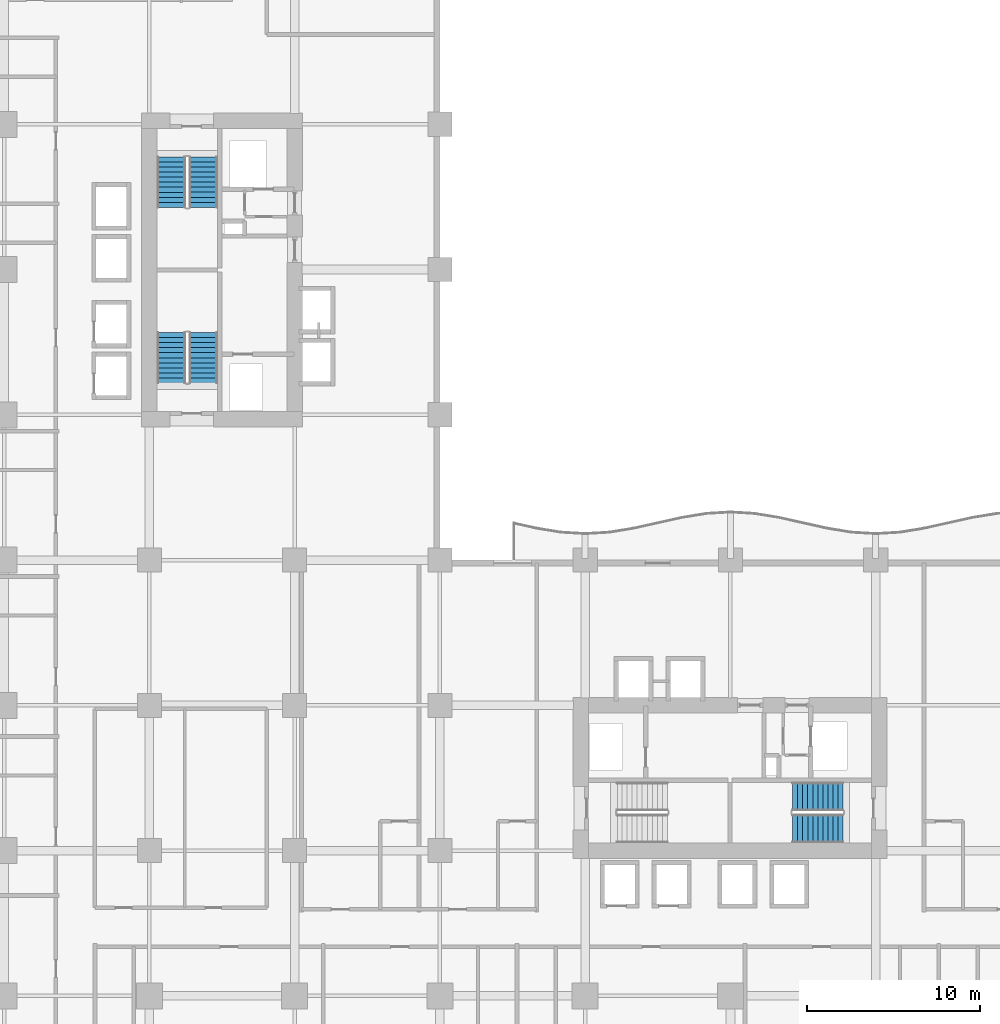
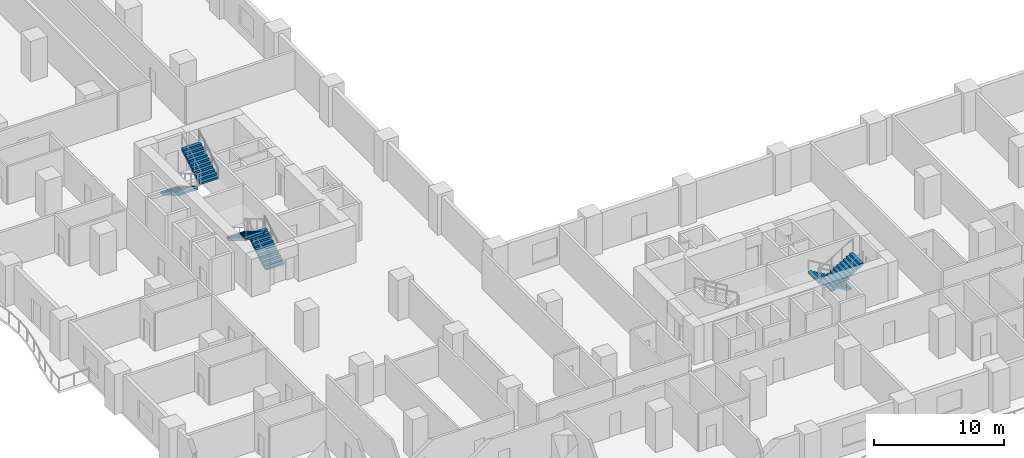
# One storey, part 17 of 24: 6 stair flights, 3 elements without a shape of their own.
"""IFC4 building model written with IfcOpenShell, lengths in metres."""

import ifcopenshell
import ifcopenshell.guid

model = None  # the IFC model being written
_history = None  # IfcOwnerHistory: only IFC2X3 demands one
_inside = {}  # id of a spatial element -> (the spatial element, [elements in it])
_under = {}  # id of a project, library or spatial element -> (it, [spatial elements below it])
_declared = {}  # id of a project -> (the project, [libraries it declares])
_typed = {}  # id of a type object -> (the type object, [elements of that type])
_made_of = {}  # id of a material, layer set ... -> (it, [elements and type objects made of it])


def new_model(schema):
    """Start an empty IFC model of exactly this schema.

    Asked for "IFC4X3", IfcOpenShell would pick the latest addendum, in which some entities
    have other attributes; the version numbers below select the first issue.
    IFC2X3 requires an IfcOwnerHistory on every rooted entity: one is made here for all.
    """
    global model, _history
    if schema == "IFC4X3":
        model = ifcopenshell.file(schema_version=(4, 3, 0, 0))
    else:
        model = ifcopenshell.file(schema=schema)
    _inside.clear()
    _under.clear()
    _declared.clear()
    _typed.clear()
    _made_of.clear()
    _history = None
    if model.schema == "IFC2X3":
        org = make("IfcOrganization", Name="unknown")
        user = make(
            "IfcPersonAndOrganization",
            ThePerson=make("IfcPerson", FamilyName="unknown"),
            TheOrganization=org,
        )
        app = make(
            "IfcApplication",
            ApplicationDeveloper=org,
            Version="unknown",
            ApplicationFullName="unknown",
            ApplicationIdentifier="unknown",
        )
        _history = make(
            "IfcOwnerHistory",
            OwningUser=user,
            OwningApplication=app,
            ChangeAction="ADDED",
            CreationDate=0,
        )
    return model


def make(cls, **values):
    """One entity of the class cls with the attributes given. An attribute that is None is left unset."""
    return model.create_entity(
        cls, **{name: value for name, value in values.items() if value is not None}
    )


def rooted(cls, **values):
    """An entity with a GlobalId (a new one), such as an element, a storey or a relation."""
    return make(cls, GlobalId=ifcopenshell.guid.new(), OwnerHistory=_history, **values)


def si_unit(unit_type, name, prefix=None):
    """IfcSIUnit, for example si_unit("LENGTHUNIT", "METRE", prefix="MILLI")."""
    return make("IfcSIUnit", UnitType=unit_type, Prefix=prefix, Name=name)


def assignment(units):
    """IfcUnitAssignment: the units of a project."""
    return None if units is None else make("IfcUnitAssignment", Units=units)


def point(xyz):
    """IfcCartesianPoint."""
    return None if xyz is None else make("IfcCartesianPoint", Coordinates=xyz)


def direction(xyz):
    """IfcDirection."""
    return None if xyz is None else make("IfcDirection", DirectionRatios=xyz)


def frame(location, z_axis=None, x_axis=None):
    """IfcAxis2Placement3D, a coordinate frame: its origin and axes. An axis left out is left unset."""
    return make(
        "IfcAxis2Placement3D",
        Location=point(location),
        Axis=direction(z_axis),
        RefDirection=direction(x_axis),
    )


def origin():
    """The frame at (0, 0, 0) with its axes left unset."""
    return frame((0.0, 0.0, 0.0))


def place(relative_to, where):
    """IfcLocalPlacement: puts the frame where relative to a parent placement (None: the world)."""
    return make(
        "IfcLocalPlacement", PlacementRelTo=relative_to, RelativePlacement=where
    )


def context(
    kind, dimensions, precision=None, world=None, true_north=None, identifier=None
):
    """IfcGeometricRepresentationContext, for example the 3D "Model" context."""
    return make(
        "IfcGeometricRepresentationContext",
        ContextIdentifier=identifier,
        ContextType=kind,
        CoordinateSpaceDimension=dimensions,
        Precision=precision,
        WorldCoordinateSystem=world,
        TrueNorth=true_north,
    )


def subcontext(parent, identifier, kind, view, scale=None):
    """IfcGeometricRepresentationSubContext, for example "Body" below "Model"."""
    return make(
        "IfcGeometricRepresentationSubContext",
        ContextIdentifier=identifier,
        ContextType=kind,
        ParentContext=parent,
        TargetScale=scale,
        TargetView=view,
    )


def project(units=None, contexts=None):
    """IfcProject with its units and contexts."""
    return rooted(
        "IfcProject",
        Name="project",
        RepresentationContexts=contexts,
        UnitsInContext=assignment(units),
    )


def spatial(cls, under=None, at=None, **own):
    """A site, building, storey or space (cls), placed at a placement, below another one or the project."""
    s = rooted(cls, ObjectPlacement=at, **own)
    if under is not None:
        _under.setdefault(under.id(), (under, []))[1].append(s)
    return s


def polyline(points):
    """IfcPolyline through the points."""
    return make("IfcPolyline", Points=[point(p) for p in points])


def outline(outer, holes=None, kind="AREA"):
    """IfcArbitraryClosedProfileDef: a profile drawn as a closed curve; with holes, ...WithVoids."""
    if holes is None:
        return make("IfcArbitraryClosedProfileDef", ProfileType=kind, OuterCurve=outer)
    return make(
        "IfcArbitraryProfileDefWithVoids",
        ProfileType=kind,
        OuterCurve=outer,
        InnerCurves=holes,
    )


def extrude(swept, where, along, depth):
    """IfcExtrudedAreaSolid: the profile swept, set in the frame where, extruded along a direction by depth."""
    return make(
        "IfcExtrudedAreaSolid",
        SweptArea=swept,
        Position=where,
        ExtrudedDirection=direction(along),
        Depth=depth,
    )


def shape(context_of_items, identifier, shape_type, items):
    """IfcShapeRepresentation: the items that make up one representation, for example the "Body"."""
    return make(
        "IfcShapeRepresentation",
        ContextOfItems=context_of_items,
        RepresentationIdentifier=identifier,
        RepresentationType=shape_type,
        Items=items,
    )


def material(Name=None, Category=None):
    """IfcMaterial."""
    return make("IfcMaterial", Name=Name, Category=Category)


def made_of(thing, what):
    """Note that an element or type object is made of a material, layer set ...; save() writes the relation."""
    if what is not None:
        _made_of.setdefault(what.id(), (what, []))[1].append(thing)
    return thing


def type_object(cls, material=None, **own):
    """A type object (cls), such as IfcWallType, which elements share."""
    return made_of(rooted(cls, **own), material)


def element(
    cls,
    number,
    at=None,
    inside=None,
    cuts=None,
    type_object=None,
    material=None,
    context=None,
    identifier="Body",
    shape_type=None,
    held_by="IfcProductDefinitionShape",
    body=None,
    shapes=None,
    **own,
):
    """One element of the class cls, such as IfcWall. Its Tag is "e" and its number.

    at: its placement. inside: the storey or other place that contains it. cuts: it is an
    opening in that element (IfcRelVoidsElement). A single representation is given by context,
    identifier, shape_type and body (its items); several are given by shapes. held_by: the class
    of the entity that holds the representations. save() writes the other relations.
    """
    e = rooted(cls, Tag="e%d" % number, ObjectPlacement=at, **own)
    if body is not None:
        shapes = [shape(context, identifier, shape_type, body)]
    if shapes is not None:
        e.Representation = make(held_by, Representations=shapes)
    if inside is not None:
        _inside.setdefault(inside.id(), (inside, []))[1].append(e)
    if cuts is not None:
        rooted(
            "IfcRelVoidsElement", RelatingBuildingElement=cuts, RelatedOpeningElement=e
        )
    if type_object is not None:
        _typed.setdefault(type_object.id(), (type_object, []))[1].append(e)
    return made_of(e, material)


def aggregate(whole, parts):
    """IfcRelAggregates: a whole, such as a stair, and the parts it consists of."""
    return rooted("IfcRelAggregates", RelatingObject=whole, RelatedObjects=parts)


def save(model, path):
    """Write the relations noted so far, then the file.

    IfcRelAggregates (storeys below a building ...), IfcRelContainedInSpatialStructure (elements
    in a storey), IfcRelDefinesByType, IfcRelAssociatesMaterial and IfcRelDeclares: one each for
    every whole, place, type object, material and project.
    """
    for whole, parts in _under.values():
        aggregate(whole, parts)
    for where, things in _inside.values():
        rooted(
            "IfcRelContainedInSpatialStructure",
            RelatedElements=things,
            RelatingStructure=where,
        )
    for kind, things in _typed.values():
        rooted("IfcRelDefinesByType", RelatedObjects=things, RelatingType=kind)
    for what, things in _made_of.values():
        rooted("IfcRelAssociatesMaterial", RelatedObjects=things, RelatingMaterial=what)
    for by, libraries in _declared.values():
        rooted("IfcRelDeclares", RelatingContext=by, RelatedDefinitions=libraries)
    model.write(path)


model = new_model("IFC4")

# Units and contexts
model_context = context("Model", 3, precision=1e-05, world=origin(), true_north=direction((0.0, 1.0)))
body_context = subcontext(model_context, "Body", "Model", "MODEL_VIEW")
ifc_project = project(units=[si_unit("LENGTHUNIT", "METRE"), si_unit("AREAUNIT", "SQUARE_METRE"), si_unit("VOLUMEUNIT", "CUBIC_METRE"), si_unit("PLANEANGLEUNIT", "RADIAN"), si_unit("MASSUNIT", "GRAM", prefix="KILO")], contexts=[model_context])

# Site, building, storey
site_placement = place(None, origin())
site = spatial("IfcSite", under=ifc_project, at=site_placement, CompositionType="ELEMENT")
building_placement = place(site_placement, origin())
building = spatial("IfcBuilding", under=site, at=building_placement, Name="Koriwani Terraces Tower", CompositionType="ELEMENT")
storey_placement = place(building_placement, frame((0.0, 0.0, 47.199951171875)))
storey = spatial("IfcBuildingStorey", under=building, at=storey_placement, Name="L10", CompositionType="ELEMENT", Elevation=47.199951171875)

# Stair, stair flights
ifc_material = material(Name="Concrete C40/50", Category="concrete")
stair_type = type_object("IfcStairType", Name="STAIR_CORE_DOGLEG_1650", PredefinedType="TWO_STRAIGHT_RUN_STAIR", material=ifc_material)
stair_1_placement = place(storey_placement, origin())
stair_1 = element("IfcStair", 1, at=stair_1_placement, inside=storey, type_object=stair_type, Name="L10 West Core Exit Stair 1", PredefinedType="HALF_TURN_STAIR")
stair_flight_type = type_object("IfcStairFlightType", Name="STAIR_FLIGHT_RC_1650", PredefinedType="STRAIGHT", material=ifc_material)
stair_flight_1_placement = place(storey_placement, frame((19.925048828125, 43.85009765625, 0.0), z_axis=(0.0, 0.0, 1.0), x_axis=(0.0, 1.0, 0.0)))
stair_flight_1 = element("IfcStairFlight", 2, at=stair_flight_1_placement, type_object=stair_flight_type, Name="ST-W1 flight 1", NumberOfRisers=11, NumberOfTreads=10, PredefinedType="STRAIGHT", RiserHeight=0.172727273, TreadLength=0.29, context=body_context, shape_type="SweptSolid", body=[
    extrude(outline(polyline([(0.0, 0.0), (0.0, 0.172607421875), (0.2900390625, 0.172607421875), (0.2900390625, 0.345458984375), (0.580078125, 0.345458984375), (0.580078125, 0.51806640625), (0.8701171875, 0.51806640625), (0.8701171875, 0.69091796875), (1.159912109375, 0.69091796875), (1.159912109375, 0.863525390625), (1.449951171875, 0.863525390625), (1.449951171875, 1.036376953125), (1.739990234375, 1.036376953125), (1.739990234375, 1.208984375), (2.030029296875, 1.208984375), (2.030029296875, 1.3818359375), (2.320068359375, 1.3818359375), (2.320068359375, 1.554443359375), (2.610107421875, 1.554443359375), (2.610107421875, 1.727294921875), (2.89990234375, 1.727294921875), (2.89990234375, 1.89990234375), (2.89990234375, 1.517822265625), (0.3515625, 0.0), (0.0, 0.0)])), frame((0.0, 0.824951171875, 0.0), z_axis=(0.0, -1.0, 0.0), x_axis=(1.0, 0.0, 0.0)), (0.0, 0.0, 1.0), 1.64990234375),
])
stair_flight_2_placement = place(storey_placement, frame((18.074951171875, 46.75, 1.900146484375), z_axis=(0.0, 0.0, 1.0), x_axis=(0.0, -1.0, 0.0)))
stair_flight_2 = element("IfcStairFlight", 3, at=stair_flight_2_placement, type_object=stair_flight_type, Name="ST-W1 flight 2", NumberOfRisers=11, NumberOfTreads=10, PredefinedType="STRAIGHT", RiserHeight=0.172727273, TreadLength=0.29, context=body_context, shape_type="SweptSolid", body=[
    extrude(outline(polyline([(0.0, 0.0), (0.0, 0.172607421875), (0.2900390625, 0.172607421875), (0.2900390625, 0.345458984375), (0.580078125, 0.345458984375), (0.580078125, 0.51806640625), (0.8701171875, 0.51806640625), (0.8701171875, 0.69091796875), (1.159912109375, 0.69091796875), (1.159912109375, 0.863525390625), (1.449951171875, 0.863525390625), (1.449951171875, 1.036376953125), (1.739990234375, 1.036376953125), (1.739990234375, 1.208984375), (2.030029296875, 1.208984375), (2.030029296875, 1.3818359375), (2.320068359375, 1.3818359375), (2.320068359375, 1.554443359375), (2.610107421875, 1.554443359375), (2.610107421875, 1.727294921875), (2.89990234375, 1.727294921875), (2.89990234375, 1.89990234375), (2.89990234375, 1.517822265625), (0.3515625, 0.0), (0.0, 0.0)])), frame((0.0, 0.824951171875, 0.0), z_axis=(0.0, -1.0, 0.0), x_axis=(1.0, 0.0, 0.0)), (0.0, 0.0, 1.0), 1.64990234375),
])
aggregate(stair_1, [stair_flight_1, stair_flight_2])

stair_2_placement = place(storey_placement, origin())
stair_2 = element("IfcStair", 4, at=stair_2_placement, inside=storey, type_object=stair_type, Name="L10 West Core Exit Stair 2", PredefinedType="HALF_TURN_STAIR")
stair_flight_3_placement = place(storey_placement, frame((18.074951171875, 56.89990234375, 0.0), z_axis=(0.0, 0.0, 1.0), x_axis=(0.0, -1.0, 0.0)))
stair_flight_3 = element("IfcStairFlight", 5, at=stair_flight_3_placement, type_object=stair_flight_type, Name="ST-W2 flight 1", NumberOfRisers=11, NumberOfTreads=10, PredefinedType="STRAIGHT", RiserHeight=0.172727273, TreadLength=0.29, context=body_context, shape_type="SweptSolid", body=[
    extrude(outline(polyline([(0.0, 0.0), (0.0, 0.172607421875), (0.2900390625, 0.172607421875), (0.2900390625, 0.345458984375), (0.580078125, 0.345458984375), (0.580078125, 0.51806640625), (0.8701171875, 0.51806640625), (0.8701171875, 0.69091796875), (1.159912109375, 0.69091796875), (1.159912109375, 0.863525390625), (1.449951171875, 0.863525390625), (1.449951171875, 1.036376953125), (1.739990234375, 1.036376953125), (1.739990234375, 1.208984375), (2.030029296875, 1.208984375), (2.030029296875, 1.3818359375), (2.320068359375, 1.3818359375), (2.320068359375, 1.554443359375), (2.610107421875, 1.554443359375), (2.610107421875, 1.727294921875), (2.89990234375, 1.727294921875), (2.89990234375, 1.89990234375), (2.89990234375, 1.517822265625), (0.3515625, 0.0), (0.0, 0.0)])), frame((0.0, 0.824951171875, 0.0), z_axis=(0.0, -1.0, 0.0), x_axis=(1.0, 0.0, 0.0)), (0.0, 0.0, 1.0), 1.64990234375),
])
stair_flight_4_placement = place(storey_placement, frame((19.925048828125, 54.0, 1.900146484375), z_axis=(0.0, 0.0, 1.0), x_axis=(0.0, 1.0, 0.0)))
stair_flight_4 = element("IfcStairFlight", 6, at=stair_flight_4_placement, type_object=stair_flight_type, Name="ST-W2 flight 2", NumberOfRisers=11, NumberOfTreads=10, PredefinedType="STRAIGHT", RiserHeight=0.172727273, TreadLength=0.29, context=body_context, shape_type="SweptSolid", body=[
    extrude(outline(polyline([(0.0, 0.0), (0.0, 0.172607421875), (0.2900390625, 0.172607421875), (0.2900390625, 0.345458984375), (0.580078125, 0.345458984375), (0.580078125, 0.51806640625), (0.8701171875, 0.51806640625), (0.8701171875, 0.69091796875), (1.159912109375, 0.69091796875), (1.159912109375, 0.863525390625), (1.449951171875, 0.863525390625), (1.449951171875, 1.036376953125), (1.739990234375, 1.036376953125), (1.739990234375, 1.208984375), (2.030029296875, 1.208984375), (2.030029296875, 1.3818359375), (2.320068359375, 1.3818359375), (2.320068359375, 1.554443359375), (2.610107421875, 1.554443359375), (2.610107421875, 1.727294921875), (2.89990234375, 1.727294921875), (2.89990234375, 1.89990234375), (2.89990234375, 1.517822265625), (0.3515625, 0.0), (0.0, 0.0)])), frame((0.0, 0.824951171875, 0.0), z_axis=(0.0, -1.0, 0.0), x_axis=(1.0, 0.0, 0.0)), (0.0, 0.0, 1.0), 1.64990234375),
])
aggregate(stair_2, [stair_flight_3, stair_flight_4])

stair_3_placement = place(storey_placement, origin())
stair_3 = element("IfcStair", 7, at=stair_3_placement, inside=storey, type_object=stair_type, Name="L10 East Core Exit Stair 2", PredefinedType="HALF_TURN_STAIR")
stair_flight_5_placement = place(storey_placement, frame((56.89990234375, 19.925048828125, 0.0), z_axis=(0.0, 0.0, 1.0), x_axis=(-1.0, 0.0, 0.0)))
stair_flight_5 = element("IfcStairFlight", 8, at=stair_flight_5_placement, type_object=stair_flight_type, Name="ST-E2 flight 1", NumberOfRisers=11, NumberOfTreads=10, PredefinedType="STRAIGHT", RiserHeight=0.172727273, TreadLength=0.29, context=body_context, shape_type="SweptSolid", body=[
    extrude(outline(polyline([(0.0, 0.0), (0.0, 0.172607421875), (0.2900390625, 0.172607421875), (0.2900390625, 0.345458984375), (0.580078125, 0.345458984375), (0.580078125, 0.51806640625), (0.8701171875, 0.51806640625), (0.8701171875, 0.69091796875), (1.159912109375, 0.69091796875), (1.159912109375, 0.863525390625), (1.449951171875, 0.863525390625), (1.449951171875, 1.036376953125), (1.739990234375, 1.036376953125), (1.739990234375, 1.208984375), (2.030029296875, 1.208984375), (2.030029296875, 1.3818359375), (2.320068359375, 1.3818359375), (2.320068359375, 1.554443359375), (2.610107421875, 1.554443359375), (2.610107421875, 1.727294921875), (2.89990234375, 1.727294921875), (2.89990234375, 1.89990234375), (2.89990234375, 1.517822265625), (0.3515625, 0.0), (0.0, 0.0)])), frame((0.0, 0.824951171875, 0.0), z_axis=(0.0, -1.0, 0.0), x_axis=(1.0, 0.0, 0.0)), (0.0, 0.0, 1.0), 1.64990234375),
])
stair_flight_6_placement = place(storey_placement, frame((54.0, 18.074951171875, 1.900146484375), z_axis=(0.0, 0.0, 1.0), x_axis=(1.0, 0.0, 0.0)))
stair_flight_6 = element("IfcStairFlight", 9, at=stair_flight_6_placement, type_object=stair_flight_type, Name="ST-E2 flight 2", NumberOfRisers=11, NumberOfTreads=10, PredefinedType="STRAIGHT", RiserHeight=0.172727273, TreadLength=0.29, context=body_context, shape_type="SweptSolid", body=[
    extrude(outline(polyline([(0.0, 0.0), (0.0, 0.172607421875), (0.2900390625, 0.172607421875), (0.2900390625, 0.345458984375), (0.580078125, 0.345458984375), (0.580078125, 0.51806640625), (0.8701171875, 0.51806640625), (0.8701171875, 0.69091796875), (1.159912109375, 0.69091796875), (1.159912109375, 0.863525390625), (1.449951171875, 0.863525390625), (1.449951171875, 1.036376953125), (1.739990234375, 1.036376953125), (1.739990234375, 1.208984375), (2.030029296875, 1.208984375), (2.030029296875, 1.3818359375), (2.320068359375, 1.3818359375), (2.320068359375, 1.554443359375), (2.610107421875, 1.554443359375), (2.610107421875, 1.727294921875), (2.89990234375, 1.727294921875), (2.89990234375, 1.89990234375), (2.89990234375, 1.517822265625), (0.3515625, 0.0), (0.0, 0.0)])), frame((0.0, 0.824951171875, 0.0), z_axis=(0.0, -1.0, 0.0), x_axis=(1.0, 0.0, 0.0)), (0.0, 0.0, 1.0), 1.64990234375),
])
aggregate(stair_3, [stair_flight_5, stair_flight_6])

save(model, "model.ifc")
